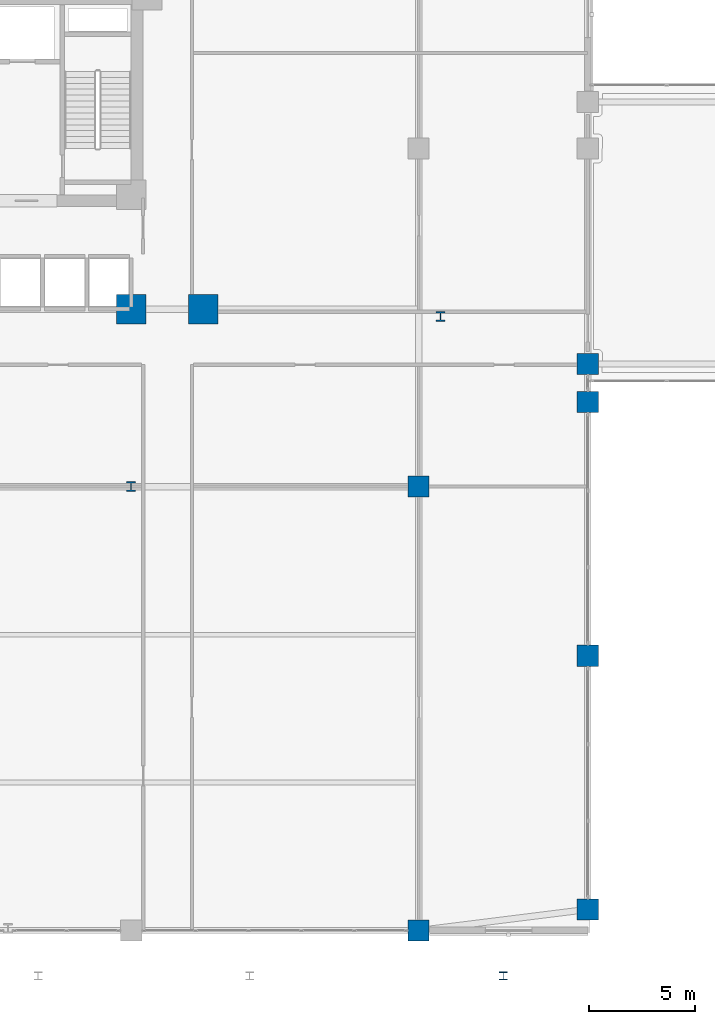
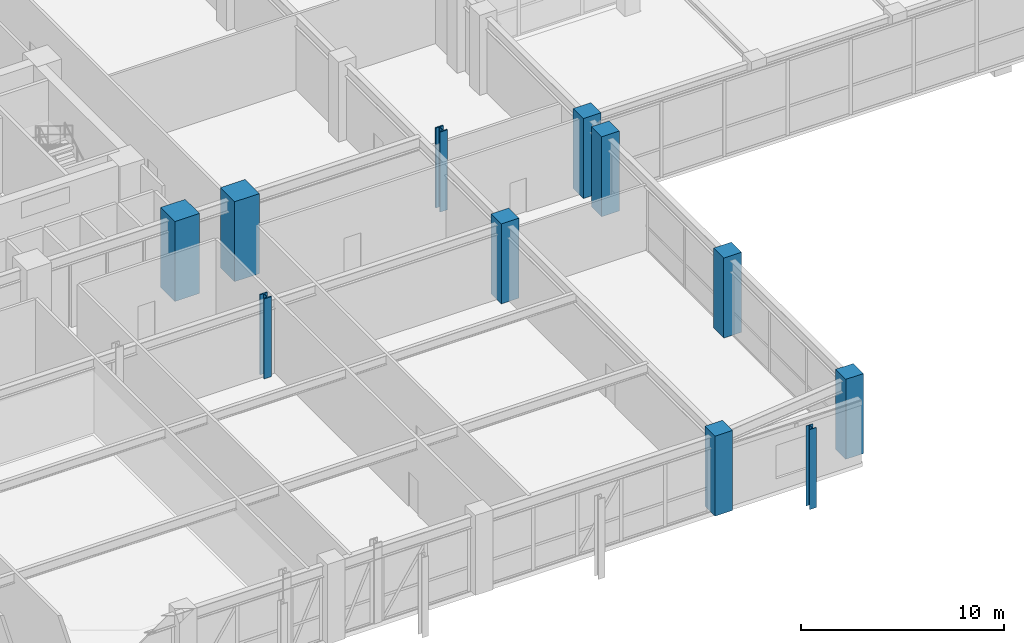
# One storey, part 2 of 48: 11 columns.
"""IFC4 building model written with IfcOpenShell, lengths in metres."""

from ifc_helpers import new_model, si_unit, derived_unit, direction, frame, origin, origin_2d, place, context, subcontext, project, spatial, rectangle, i_section, extrude, source, transform, mapped, material, material_profile, profile_set, type_object, element, save


model = new_model("IFC4")

# Units and contexts
model_context = context("Model", 3, precision=1e-05, world=origin(), true_north=direction((0.0, 1.0)))
body_context = subcontext(model_context, "Body", "Model", "MODEL_VIEW")
ifc_project = project(units=[si_unit("LENGTHUNIT", "METRE"), si_unit("AREAUNIT", "SQUARE_METRE"), si_unit("VOLUMEUNIT", "CUBIC_METRE"), si_unit("PLANEANGLEUNIT", "RADIAN"), si_unit("MASSUNIT", "GRAM", prefix="KILO"), derived_unit("THERMALTRANSMITTANCEUNIT", [(si_unit("POWERUNIT", "WATT"), 1), (si_unit("LENGTHUNIT", "METRE"), -2), (si_unit("THERMODYNAMICTEMPERATUREUNIT", "KELVIN"), -1)])], contexts=[model_context])

# Site, building, storey
site_placement = place(None, origin())
site = spatial("IfcSite", under=ifc_project, at=site_placement, CompositionType="ELEMENT")
building_placement = place(site_placement, origin())
building = spatial("IfcBuilding", under=site, at=building_placement, Name="Korsvarv Bourse and Concert Hall", CompositionType="ELEMENT")
storey_placement = place(building_placement, frame((0.0, 0.0, 4.800048828125)))
storey = spatial("IfcBuildingStorey", under=building, at=storey_placement, Name="L01", CompositionType="ELEMENT", Elevation=4.800048828125)

# Columns
ifc_material_1 = material(Name="Concrete C60/75", Category="concrete")
ifc_material_profile_1 = material_profile(ifc_material_1, rectangle(XDim=1.39990234375, YDim=1.39990234375, at=origin_2d()), Name="RC 1400x1400")
ifc_profile_set_1 = profile_set([ifc_material_profile_1], Name="Concrete C60/75")
column_type_1 = type_object("IfcColumnType", Name="COL-RC1400", PredefinedType="COLUMN", material=ifc_profile_set_1)
shared_shape_1 = source(origin(), body_context, "Body", "SweptSolid", [
    extrude(rectangle(XDim=1.39990234375, YDim=1.39990234375, at=origin_2d()), origin(), (0.0, 0.0, 1.0), 4.800048828125),
])
for number, where, z_axis, x_axis, name in (
    (1, (44.39990234375, 32.39990234375, 0.0), (0.0, 0.0, 1.0), (1.0, 0.0, 0.0), "L01 column C-01"),
    (2, (47.800048828125, 32.39990234375, 0.0), (0.0, 0.0, 1.0), (1.0, 0.0, 0.0), "L01 column C-01"),
):
    element("IfcColumn", number, at=place(storey_placement, frame(where, z_axis=z_axis, x_axis=x_axis)), inside=storey, type_object=column_type_1, Name=name, PredefinedType="COLUMN", context=body_context, shape_type="MappedRepresentation", body=[
        mapped(shared_shape_1, transform((0.0, 0.0, 0.0), scale=1.0)),
    ])
ifc_material_2 = material(Name="Steel S460", Category="steel")
ifc_material_profile_2 = material_profile(ifc_material_2, i_section(OverallWidth=0.424072265625, OverallDepth=0.47412109375, WebThickness=0.044921875, FlangeThickness=0.072021484375, FilletRadius=0.014892578125, at=origin_2d()), Name="HD 400x634")
ifc_profile_set_2 = profile_set([ifc_material_profile_2], Name="Steel S460")
column_type_2 = type_object("IfcColumnType", Name="COL-HD634", PredefinedType="COLUMN", material=ifc_profile_set_2)
shared_shape_2 = source(origin(), body_context, "Body", "SweptSolid", [
    extrude(i_section(OverallWidth=0.424072265625, OverallDepth=0.47412109375, WebThickness=0.044921875, FlangeThickness=0.072021484375, FilletRadius=0.014892578125, at=origin_2d()), origin(), (0.0, 0.0, 1.0), 4.800048828125),
])
for number, where, z_axis, x_axis, name in (
    (3, (44.39990234375, 24.0, 0.0), (0.0, 0.0, 1.0), (1.0, 0.0, 0.0), "L01 column C-07"),
    (4, (59.029541015625, 32.05419921875, 0.0), (0.0, 0.0, 1.0), (1.0, 0.0, 0.0), "L01 column C-07"),
):
    element("IfcColumn", number, at=place(storey_placement, frame(where, z_axis=z_axis, x_axis=x_axis)), inside=storey, type_object=column_type_2, Name=name, PredefinedType="COLUMN", context=body_context, shape_type="MappedRepresentation", body=[
        mapped(shared_shape_2, transform((0.0, 0.0, 0.0), scale=1.0)),
    ])
ifc_material_3 = material(Name="Concrete C55/67", Category="concrete")
ifc_material_profile_3 = material_profile(ifc_material_3, rectangle(XDim=1.0, YDim=1.0, at=origin_2d()), Name="RC 1000x1000")
ifc_profile_set_3 = profile_set([ifc_material_profile_3], Name="Concrete C55/67")
column_type_3 = type_object("IfcColumnType", Name="COL-RC1000", PredefinedType="COLUMN", material=ifc_profile_set_3)
shared_shape_3 = source(origin(), body_context, "Body", "SweptSolid", [
    extrude(rectangle(XDim=1.0, YDim=1.0, at=origin_2d()), origin(), (0.0, 0.0, 1.0), 4.800048828125),
])
for number, where, z_axis, x_axis, name in (
    (5, (66.0, 4.0, 0.0), (0.0, 0.0, 1.0), (1.0, 0.0, 0.0), "L01 column C-03"),
    (6, (66.0, 16.0, 0.0), (0.0, 0.0, 1.0), (1.0, 0.0, 0.0), "L01 column C-03"),
    (7, (66.0, 28.0, 0.0), (0.0, 0.0, 1.0), (1.0, 0.0, 0.0), "L01 column C-03"),
    (8, (58.0, 3.0, 0.0), (0.0, 0.0, 1.0), (1.0, 0.0, 0.0), "L01 column C-03"),
    (9, (58.0, 24.0, 0.0), (0.0, 0.0, 1.0), (1.0, 0.0, 0.0), "L01 column C-03"),
    (10, (66.0, 29.800048828125, 0.0), (0.0, 0.0, 1.0), (1.0, 0.0, 0.0), "L01 column C-03"),
):
    element("IfcColumn", number, at=place(storey_placement, frame(where, z_axis=z_axis, x_axis=x_axis)), inside=storey, type_object=column_type_3, Name=name, PredefinedType="COLUMN", context=body_context, shape_type="MappedRepresentation", body=[
        mapped(shared_shape_3, transform((0.0, 0.0, 0.0), scale=1.0)),
    ])
ifc_material_4 = material(Name="Steel S355", Category="steel")
ifc_material_profile_4 = material_profile(ifc_material_4, i_section(OverallWidth=0.3740234375, OverallDepth=0.3798828125, WebThickness=0.01953125, FlangeThickness=0.031005859375, FilletRadius=0.014892578125, at=origin_2d()), Name="HD 360x262")
ifc_profile_set_4 = profile_set([ifc_material_profile_4], Name="Steel S355")
column_type_4 = type_object("IfcColumnType", Name="COL-PIL360", PredefinedType="PILASTER", material=ifc_profile_set_4)
shared_shape_4 = source(origin(), body_context, "Body", "SweptSolid", [
    extrude(i_section(OverallWidth=0.3740234375, OverallDepth=0.3798828125, WebThickness=0.01953125, FlangeThickness=0.031005859375, FilletRadius=0.014892578125, at=origin_2d()), origin(), (0.0, 0.0, 1.0), 4.800048828125),
])
column_placement = place(storey_placement, frame((62.0, 0.85009765625, 0.0), z_axis=(0.0, 0.0, 1.0), x_axis=(1.0, 0.0, 0.0)))
element("IfcColumn", 11, at=column_placement, inside=storey, type_object=column_type_4, Name="L01 column C-12", PredefinedType="PILASTER", context=body_context, shape_type="MappedRepresentation", body=[
    mapped(shared_shape_4, transform((0.0, 0.0, 0.0), scale=1.0)),
])

save(model, "model.ifc")
